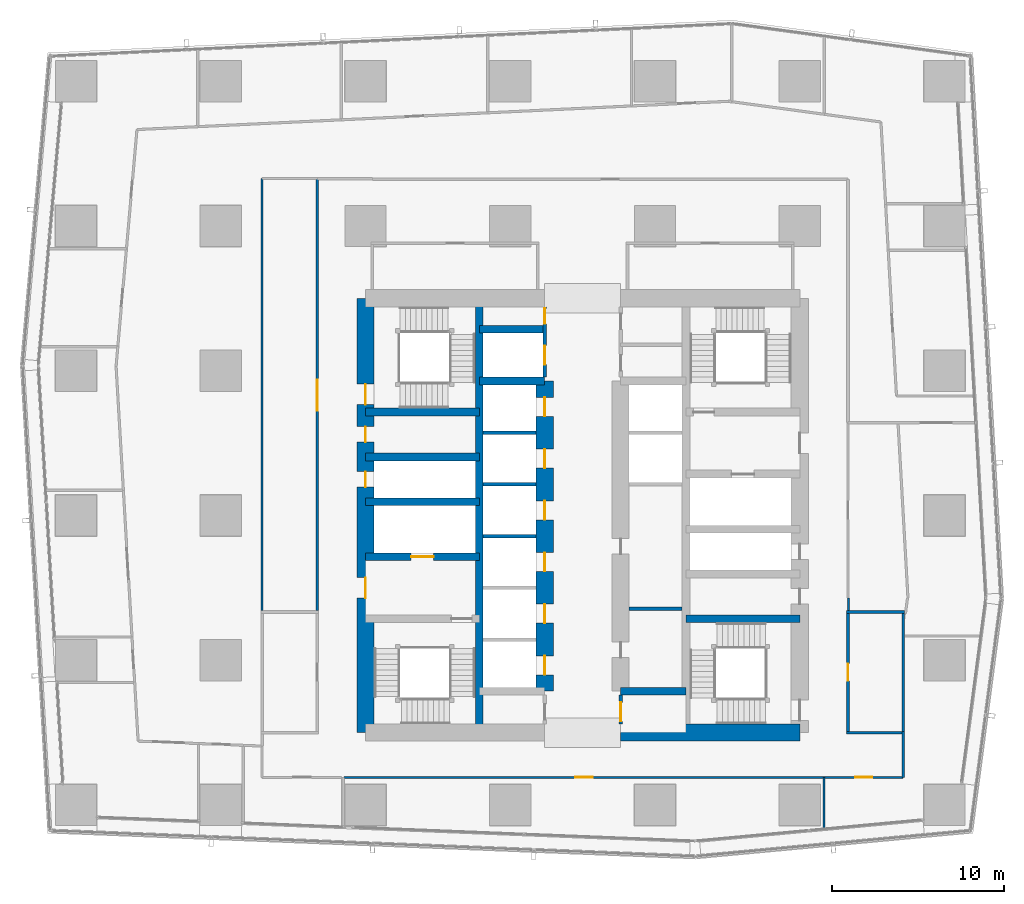
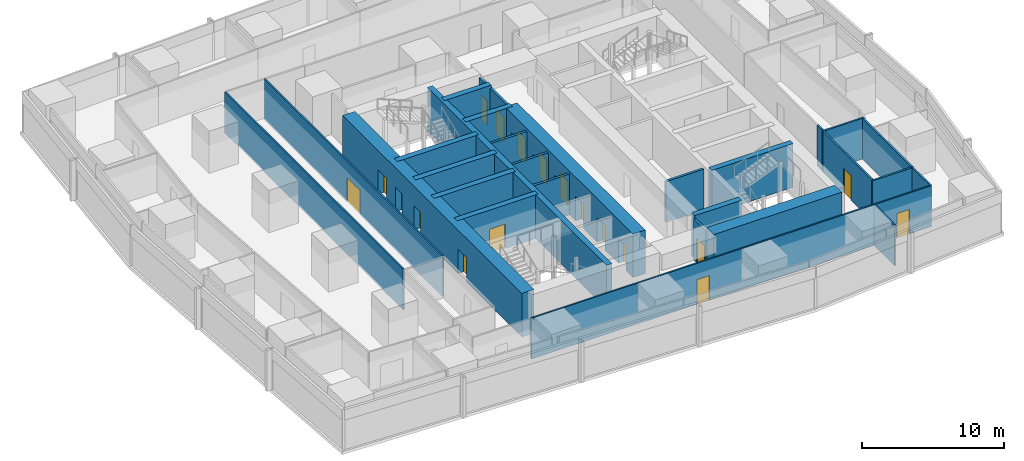
# One storey, part 25 of 37: 29 walls, 18 doors, 18 openings.
"""IFC4 building model written with IfcOpenShell, lengths in metres."""

from ifc_helpers import new_model, si_unit, direction, frame, frame_2d, origin, place, context, subcontext, project, spatial, rectangle, extrude, material, layer, layer_set, type_object, element, fill, save


model = new_model("IFC4")

# Units and contexts
model_context = context("Model", 3, precision=1e-05, world=origin(), true_north=direction((0.0, 1.0)))
body_context = subcontext(model_context, "Body", "Model", "MODEL_VIEW")
ifc_project = project(units=[si_unit("LENGTHUNIT", "METRE"), si_unit("AREAUNIT", "SQUARE_METRE"), si_unit("VOLUMEUNIT", "CUBIC_METRE"), si_unit("PLANEANGLEUNIT", "RADIAN"), si_unit("MASSUNIT", "GRAM", prefix="KILO")], contexts=[model_context])

# Site, building, storey
site_placement = place(None, origin())
site = spatial("IfcSite", under=ifc_project, at=site_placement, CompositionType="ELEMENT")
building_placement = place(site_placement, origin())
building = spatial("IfcBuilding", under=site, at=building_placement, Name="Rekha Terrace Tower", CompositionType="ELEMENT")
storey_placement = place(building_placement, frame((0.0, 0.0, 232.699951171875)))
storey = spatial("IfcBuildingStorey", under=building, at=storey_placement, Name="L59", CompositionType="ELEMENT", Elevation=232.699951171875)

# Walls
ifc_material_1 = material(Name="Concrete M60", Category="concrete")
ifc_layer_1 = layer(ifc_material_1, 0.449951171875)
ifc_layer_set_1 = layer_set([ifc_layer_1], Name="Concrete M60")
wall_type_1 = type_object("IfcWallType", Name="CI3 450 core internal shear wall", PredefinedType="SHEAR", material=ifc_layer_set_1)
wall_1_placement = place(storey_placement, frame((31.800048828125, 21.0, 0.0), z_axis=(0.0, 0.0, 1.0), x_axis=(0.0, 1.0, 0.0)))
element("IfcWall", 1, at=wall_1_placement, inside=storey, type_object=wall_type_1, Name="Core wall X318 L59", PredefinedType="SHEAR", context=body_context, shape_type="SweptSolid", body=[
    extrude(rectangle(XDim=25.199951171875, YDim=0.449951171875, at=frame_2d((12.60009765625, 0.0))), origin(), (0.0, 0.0, 1.0), 3.75),
])
for number, where, z_axis, x_axis, name in (
    (2, (31.800048828125, 41.39990234375, 0.0), (0.0, 0.0, 1.0), (1.0, 0.0, 0.0), "Core wall Y414W L59"),
    (3, (31.800048828125, 44.39990234375, 0.0), (0.0, 0.0, 1.0), (1.0, 0.0, 0.0), "Core wall Y444W L59"),
    (4, (40.0, 23.39990234375, 0.0), (0.0, 0.0, 1.0), (1.0, 0.0, 0.0), "Core wall Y234E L59"),
):
    element("IfcWall", number, at=place(storey_placement, frame(where, z_axis=z_axis, x_axis=x_axis)), inside=storey, type_object=wall_type_1, Name=name, PredefinedType="SHEAR", context=body_context, shape_type="SweptSolid", body=[
        extrude(rectangle(XDim=3.800048828125, YDim=0.449951171875, at=frame_2d((1.89990234375, 0.0))), origin(), (0.0, 0.0, 1.0), 3.75),
    ])

# Wall, opening, door
wall_2_placement = place(storey_placement, frame((25.199951171875, 31.199951171875, 0.0), z_axis=(0.0, 0.0, 1.0), x_axis=(1.0, 0.0, 0.0)))
wall_2 = element("IfcWall", 5, at=wall_2_placement, inside=storey, type_object=wall_type_1, Name="Core wall Y312W L59", PredefinedType="SHEAR", context=body_context, shape_type="SweptSolid", body=[
    extrude(rectangle(XDim=6.60009765625, YDim=0.449951171875, at=frame_2d((3.300048828125, 0.0))), origin(), (0.0, 0.0, 1.0), 3.75),
])
opening_1_placement = place(wall_2_placement, frame((2.64990234375, 0.0, 0.0)))
opening_1 = element("IfcOpeningElement", 6, at=opening_1_placement, cuts=wall_2, Name="Opening LD2", PredefinedType="OPENING", context=body_context, shape_type="SweptSolid", body=[
    extrude(rectangle(XDim=1.300048828125, YDim=2.10009765625, at=frame_2d((0.64990234375, 1.050048828125))), frame((0.0, 0.23486328125, 0.0), z_axis=(0.0, -1.0, 0.0), x_axis=(1.0, 0.0, 0.0)), (0.0, 0.0, 1.0), 0.469970703125),
])
ifc_material_2 = material(Name="Stainless steel sliding landing door", Category="steel")
door_type_1 = type_object("IfcDoorType", Name="LD2 1300x2100 fire lift landing door", OperationType="SLIDING_TO_LEFT", PredefinedType="USERDEFINED", material=ifc_material_2)
door_1_placement = place(opening_1_placement, origin())
door_1 = element("IfcDoor", 7, at=door_1_placement, inside=storey, type_object=door_type_1, Name="Lift FL1 landing door L59", ObjectType="LIFT LANDING DOOR", OperationType="SLIDING_TO_LEFT", OverallHeight=2.10009765625, OverallWidth=1.300048828125, PredefinedType="USERDEFINED", context=body_context, shape_type="SweptSolid", body=[
    extrude(rectangle(XDim=1.300048828125, YDim=2.10009765625, at=frame_2d((0.64990234375, 1.050048828125))), frame((0.0, 0.02490234375, 0.0), z_axis=(0.0, -1.0, 0.0), x_axis=(1.0, 0.0, 0.0)), (0.0, 0.0, 1.0), 0.050048828125),
])
fill(opening_1, door_1)

# Walls
for number, where, z_axis, x_axis, name in (
    (8, (25.199951171875, 34.39990234375, 0.0), (0.0, 0.0, 1.0), (1.0, 0.0, 0.0), "Core wall Y344W L59"),
    (9, (25.199951171875, 37.0, 0.0), (0.0, 0.0, 1.0), (1.0, 0.0, 0.0), "Core wall Y370W L59"),
    (10, (25.199951171875, 39.60009765625, 0.0), (0.0, 0.0, 1.0), (1.0, 0.0, 0.0), "Core wall Y396W L59"),
):
    element("IfcWall", number, at=place(storey_placement, frame(where, z_axis=z_axis, x_axis=x_axis)), inside=storey, type_object=wall_type_1, Name=name, PredefinedType="SHEAR", context=body_context, shape_type="SweptSolid", body=[
        extrude(rectangle(XDim=6.60009765625, YDim=0.449951171875, at=frame_2d((3.300048828125, 0.0))), origin(), (0.0, 0.0, 1.0), 3.75),
    ])
wall_3_placement = place(storey_placement, frame((43.800048828125, 27.60009765625, 0.0), z_axis=(0.0, 0.0, 1.0), x_axis=(1.0, 0.0, 0.0)))
element("IfcWall", 11, at=wall_3_placement, inside=storey, type_object=wall_type_1, Name="Core wall Y276E L59", PredefinedType="SHEAR", context=body_context, shape_type="SweptSolid", body=[
    extrude(rectangle(XDim=6.599853515625, YDim=0.449951171875, at=frame_2d((3.2998046875, 0.0))), origin(), (0.0, 0.0, 1.0), 3.75),
])

# Wall, openings, doors
ifc_layer_2 = layer(ifc_material_1, 1.0)
ifc_layer_set_2 = layer_set([ifc_layer_2], Name="Concrete M60")
wall_type_2 = type_object("IfcWallType", Name="LW3 1000 core lobby wall at an outrigger level", PredefinedType="SHEAR", material=ifc_layer_set_2)
wall_4_placement = place(storey_placement, frame((35.60009765625, 23.39990234375, 0.0), z_axis=(0.0, 0.0, 1.0), x_axis=(0.0, 1.0, 0.0)))
wall_4 = element("IfcWall", 12, at=wall_4_placement, inside=storey, type_object=wall_type_2, Name="Core wall X356 L59", PredefinedType="SHEAR", context=body_context, shape_type="SweptSolid", body=[
    extrude(rectangle(XDim=18.0, YDim=1.0, at=frame_2d((9.0, 0.0))), origin(), (0.0, 0.0, 1.0), 3.75),
])
opening_2_placement = place(wall_4_placement, frame((0.949951171875, 0.0, 0.0)))
opening_2 = element("IfcOpeningElement", 13, at=opening_2_placement, cuts=wall_4, Name="Opening LD1", PredefinedType="OPENING", context=body_context, shape_type="SweptSolid", body=[
    extrude(rectangle(XDim=1.10009765625, YDim=2.10009765625, at=frame_2d((0.550048828125, 1.050048828125))), frame((0.0, 0.510009765625, 0.0), z_axis=(0.0, -1.0, 0.0), x_axis=(1.0, 0.0, 0.0)), (0.0, 0.0, 1.0), 1.02001953125),
])
opening_3_placement = place(wall_4_placement, frame((3.949951171875, 0.0, 0.0)))
opening_3 = element("IfcOpeningElement", 14, at=opening_3_placement, cuts=wall_4, Name="Opening LD1", PredefinedType="OPENING", context=body_context, shape_type="SweptSolid", body=[
    extrude(rectangle(XDim=1.10009765625, YDim=2.10009765625, at=frame_2d((0.550048828125, 1.050048828125))), frame((0.0, 0.510009765625, 0.0), z_axis=(0.0, -1.0, 0.0), x_axis=(1.0, 0.0, 0.0)), (0.0, 0.0, 1.0), 1.02001953125),
])
opening_4_placement = place(wall_4_placement, frame((6.949951171875, 0.0, 0.0)))
opening_4 = element("IfcOpeningElement", 15, at=opening_4_placement, cuts=wall_4, Name="Opening LD1", PredefinedType="OPENING", context=body_context, shape_type="SweptSolid", body=[
    extrude(rectangle(XDim=1.10009765625, YDim=2.10009765625, at=frame_2d((0.550048828125, 1.050048828125))), frame((0.0, 0.510009765625, 0.0), z_axis=(0.0, -1.0, 0.0), x_axis=(1.0, 0.0, 0.0)), (0.0, 0.0, 1.0), 1.02001953125),
])
opening_5_placement = place(wall_4_placement, frame((9.949951171875, 0.0, 0.0)))
opening_5 = element("IfcOpeningElement", 16, at=opening_5_placement, cuts=wall_4, Name="Opening LD1", PredefinedType="OPENING", context=body_context, shape_type="SweptSolid", body=[
    extrude(rectangle(XDim=1.10009765625, YDim=2.10009765625, at=frame_2d((0.550048828125, 1.050048828125))), frame((0.0, 0.510009765625, 0.0), z_axis=(0.0, -1.0, 0.0), x_axis=(1.0, 0.0, 0.0)), (0.0, 0.0, 1.0), 1.02001953125),
])
opening_6_placement = place(wall_4_placement, frame((12.949951171875, 0.0, 0.0)))
opening_6 = element("IfcOpeningElement", 17, at=opening_6_placement, cuts=wall_4, Name="Opening LD1", PredefinedType="OPENING", context=body_context, shape_type="SweptSolid", body=[
    extrude(rectangle(XDim=1.10009765625, YDim=2.10009765625, at=frame_2d((0.550048828125, 1.050048828125))), frame((0.0, 0.510009765625, 0.0), z_axis=(0.0, -1.0, 0.0), x_axis=(1.0, 0.0, 0.0)), (0.0, 0.0, 1.0), 1.02001953125),
])
opening_7_placement = place(wall_4_placement, frame((15.949951171875, 0.0, 0.0)))
opening_7 = element("IfcOpeningElement", 18, at=opening_7_placement, cuts=wall_4, Name="Opening LD1", PredefinedType="OPENING", context=body_context, shape_type="SweptSolid", body=[
    extrude(rectangle(XDim=1.10009765625, YDim=2.10009765625, at=frame_2d((0.550048828125, 1.050048828125))), frame((0.0, 0.510009765625, 0.0), z_axis=(0.0, -1.0, 0.0), x_axis=(1.0, 0.0, 0.0)), (0.0, 0.0, 1.0), 1.02001953125),
])
door_type_2 = type_object("IfcDoorType", Name="LD1 1100x2100 lift landing door", OperationType="SLIDING_TO_LEFT", PredefinedType="USERDEFINED", material=ifc_material_2)
door_2_placement = place(opening_2_placement, origin())
door_2 = element("IfcDoor", 19, at=door_2_placement, inside=storey, type_object=door_type_2, Name="Lift C1 landing door L59", ObjectType="LIFT LANDING DOOR", OperationType="SLIDING_TO_LEFT", OverallHeight=2.10009765625, OverallWidth=1.10009765625, PredefinedType="USERDEFINED", context=body_context, shape_type="SweptSolid", body=[
    extrude(rectangle(XDim=1.10009765625, YDim=2.10009765625, at=frame_2d((0.550048828125, 1.050048828125))), frame((0.0, 0.02490234375, 0.0), z_axis=(0.0, -1.0, 0.0), x_axis=(1.0, 0.0, 0.0)), (0.0, 0.0, 1.0), 0.050048828125),
])
fill(opening_2, door_2)
door_3_placement = place(opening_3_placement, origin())
door_3 = element("IfcDoor", 20, at=door_3_placement, inside=storey, type_object=door_type_2, Name="Lift C2 landing door L59", ObjectType="LIFT LANDING DOOR", OperationType="SLIDING_TO_LEFT", OverallHeight=2.10009765625, OverallWidth=1.10009765625, PredefinedType="USERDEFINED", context=body_context, shape_type="SweptSolid", body=[
    extrude(rectangle(XDim=1.10009765625, YDim=2.10009765625, at=frame_2d((0.550048828125, 1.050048828125))), frame((0.0, 0.02490234375, 0.0), z_axis=(0.0, -1.0, 0.0), x_axis=(1.0, 0.0, 0.0)), (0.0, 0.0, 1.0), 0.050048828125),
])
fill(opening_3, door_3)
door_4_placement = place(opening_4_placement, origin())
door_4 = element("IfcDoor", 21, at=door_4_placement, inside=storey, type_object=door_type_2, Name="Lift C3 landing door L59", ObjectType="LIFT LANDING DOOR", OperationType="SLIDING_TO_LEFT", OverallHeight=2.10009765625, OverallWidth=1.10009765625, PredefinedType="USERDEFINED", context=body_context, shape_type="SweptSolid", body=[
    extrude(rectangle(XDim=1.10009765625, YDim=2.10009765625, at=frame_2d((0.550048828125, 1.050048828125))), frame((0.0, 0.02490234375, 0.0), z_axis=(0.0, -1.0, 0.0), x_axis=(1.0, 0.0, 0.0)), (0.0, 0.0, 1.0), 0.050048828125),
])
fill(opening_4, door_4)
door_5_placement = place(opening_5_placement, origin())
door_5 = element("IfcDoor", 22, at=door_5_placement, inside=storey, type_object=door_type_2, Name="Lift C4 landing door L59", ObjectType="LIFT LANDING DOOR", OperationType="SLIDING_TO_LEFT", OverallHeight=2.10009765625, OverallWidth=1.10009765625, PredefinedType="USERDEFINED", context=body_context, shape_type="SweptSolid", body=[
    extrude(rectangle(XDim=1.10009765625, YDim=2.10009765625, at=frame_2d((0.550048828125, 1.050048828125))), frame((0.0, 0.02490234375, 0.0), z_axis=(0.0, -1.0, 0.0), x_axis=(1.0, 0.0, 0.0)), (0.0, 0.0, 1.0), 0.050048828125),
])
fill(opening_5, door_5)
door_6_placement = place(opening_6_placement, origin())
door_6 = element("IfcDoor", 23, at=door_6_placement, inside=storey, type_object=door_type_2, Name="Lift C5 landing door L59", ObjectType="LIFT LANDING DOOR", OperationType="SLIDING_TO_LEFT", OverallHeight=2.10009765625, OverallWidth=1.10009765625, PredefinedType="USERDEFINED", context=body_context, shape_type="SweptSolid", body=[
    extrude(rectangle(XDim=1.10009765625, YDim=2.10009765625, at=frame_2d((0.550048828125, 1.050048828125))), frame((0.0, 0.02490234375, 0.0), z_axis=(0.0, -1.0, 0.0), x_axis=(1.0, 0.0, 0.0)), (0.0, 0.0, 1.0), 0.050048828125),
])
fill(opening_6, door_6)
door_7_placement = place(opening_7_placement, origin())
door_7 = element("IfcDoor", 24, at=door_7_placement, inside=storey, type_object=door_type_2, Name="Lift C6 landing door L59", ObjectType="LIFT LANDING DOOR", OperationType="SLIDING_TO_LEFT", OverallHeight=2.10009765625, OverallWidth=1.10009765625, PredefinedType="USERDEFINED", context=body_context, shape_type="SweptSolid", body=[
    extrude(rectangle(XDim=1.10009765625, YDim=2.10009765625, at=frame_2d((0.550048828125, 1.050048828125))), frame((0.0, 0.02490234375, 0.0), z_axis=(0.0, -1.0, 0.0), x_axis=(1.0, 0.0, 0.0)), (0.0, 0.0, 1.0), 0.050048828125),
])
fill(opening_7, door_7)

# Wall
ifc_layer_3 = layer(ifc_material_1, 1.0)
ifc_layer_set_3 = layer_set([ifc_layer_3], Name="Concrete M60")
wall_type_3 = type_object("IfcWallType", Name="SW3 1000 core outer shear wall", PredefinedType="SHEAR", material=ifc_layer_set_3)
wall_5_placement = place(storey_placement, frame((40.0, 21.0, 0.0), z_axis=(0.0, 0.0, 1.0), x_axis=(1.0, 0.0, 0.0)))
element("IfcWall", 25, at=wall_5_placement, inside=storey, type_object=wall_type_3, Name="Core wall S2 L59", PredefinedType="SHEAR", context=body_context, shape_type="SweptSolid", body=[
    extrude(rectangle(XDim=10.39990234375, YDim=1.0, at=frame_2d((5.199951171875, 0.0))), origin(), (0.0, 0.0, 1.0), 3.75),
])

# Wall, openings, doors
wall_6_placement = place(storey_placement, frame((25.199951171875, 21.0, 0.0), z_axis=(0.0, 0.0, 1.0), x_axis=(0.0, 1.0, 0.0)))
wall_6 = element("IfcWall", 26, at=wall_6_placement, inside=storey, type_object=wall_type_3, Name="Core wall W L59", PredefinedType="SHEAR", context=body_context, shape_type="SweptSolid", body=[
    extrude(rectangle(XDim=25.199951171875, YDim=1.0, at=frame_2d((12.60009765625, 0.0))), origin(), (0.0, 0.0, 1.0), 3.75),
])
opening_8_placement = place(wall_6_placement, frame((7.800048828125, 0.0, 0.0)))
opening_8 = element("IfcOpeningElement", 27, at=opening_8_placement, cuts=wall_6, Name="Opening D2", PredefinedType="OPENING", context=body_context, shape_type="SweptSolid", body=[
    extrude(rectangle(XDim=1.199951171875, YDim=2.10009765625, at=frame_2d((0.60009765625, 1.050048828125))), frame((0.0, 0.510009765625, 0.0), z_axis=(0.0, -1.0, 0.0), x_axis=(1.0, 0.0, 0.0)), (0.0, 0.0, 1.0), 1.02001953125),
])
opening_9_placement = place(wall_6_placement, frame((14.25, 0.0, 0.0)))
opening_9 = element("IfcOpeningElement", 28, at=opening_9_placement, cuts=wall_6, Name="Opening D5", PredefinedType="OPENING", context=body_context, shape_type="SweptSolid", body=[
    extrude(rectangle(XDim=0.89990234375, YDim=2.10009765625, at=frame_2d((0.449951171875, 1.050048828125))), frame((0.0, 0.510009765625, 0.0), z_axis=(0.0, -1.0, 0.0), x_axis=(1.0, 0.0, 0.0)), (0.0, 0.0, 1.0), 1.02001953125),
])
opening_10_placement = place(wall_6_placement, frame((16.85009765625, 0.0, 0.0)))
opening_10 = element("IfcOpeningElement", 29, at=opening_10_placement, cuts=wall_6, Name="Opening D5", PredefinedType="OPENING", context=body_context, shape_type="SweptSolid", body=[
    extrude(rectangle(XDim=0.89990234375, YDim=2.10009765625, at=frame_2d((0.449951171875, 1.050048828125))), frame((0.0, 0.510009765625, 0.0), z_axis=(0.0, -1.0, 0.0), x_axis=(1.0, 0.0, 0.0)), (0.0, 0.0, 1.0), 1.02001953125),
])
opening_11_placement = place(wall_6_placement, frame((19.02490234375, 0.0, 0.0)))
opening_11 = element("IfcOpeningElement", 30, at=opening_11_placement, cuts=wall_6, Name="Opening D1", PredefinedType="OPENING", context=body_context, shape_type="SweptSolid", body=[
    extrude(rectangle(XDim=1.199951171875, YDim=2.10009765625, at=frame_2d((0.60009765625, 1.050048828125))), frame((0.0, 0.510009765625, 0.0), z_axis=(0.0, -1.0, 0.0), x_axis=(1.0, 0.0, 0.0)), (0.0, 0.0, 1.0), 1.02001953125),
])
ifc_material_3 = material(Name="Steel fire door", Category="steel")
door_type_3 = type_object("IfcDoorType", Name="D1 1200x2100 stair fire door", OperationType="SINGLE_SWING_RIGHT", PredefinedType="DOOR", material=ifc_material_3)
door_8_placement = place(opening_11_placement, origin())
door_8 = element("IfcDoor", 31, at=door_8_placement, inside=storey, type_object=door_type_3, Name="Stair ST4 door L59", OperationType="SINGLE_SWING_RIGHT", OverallHeight=2.10009765625, OverallWidth=1.199951171875, PredefinedType="DOOR", context=body_context, shape_type="SweptSolid", body=[
    extrude(rectangle(XDim=1.199951171875, YDim=2.10009765625, at=frame_2d((0.60009765625, 1.050048828125))), frame((0.0, 0.02490234375, 0.0), z_axis=(0.0, -1.0, 0.0), x_axis=(1.0, 0.0, 0.0)), (0.0, 0.0, 1.0), 0.050048828125),
])
fill(opening_11, door_8)
door_type_4 = type_object("IfcDoorType", Name="D2 1200x2100 firefighting lobby door", OperationType="SINGLE_SWING_LEFT", PredefinedType="DOOR", material=ifc_material_3)
door_9_placement = place(opening_8_placement, origin())
door_9 = element("IfcDoor", 32, at=door_9_placement, inside=storey, type_object=door_type_4, Name="Door flb1 L59", OperationType="SINGLE_SWING_LEFT", OverallHeight=2.10009765625, OverallWidth=1.199951171875, PredefinedType="DOOR", context=body_context, shape_type="SweptSolid", body=[
    extrude(rectangle(XDim=1.199951171875, YDim=2.10009765625, at=frame_2d((0.60009765625, 1.050048828125))), frame((0.0, 0.02490234375, 0.0), z_axis=(0.0, -1.0, 0.0), x_axis=(1.0, 0.0, 0.0)), (0.0, 0.0, 1.0), 0.050048828125),
])
fill(opening_8, door_9)
door_type_5 = type_object("IfcDoorType", Name="D5 900x2100 riser access door", OperationType="SINGLE_SWING_LEFT", PredefinedType="DOOR", material=ifc_material_3)
door_10_placement = place(opening_9_placement, origin())
door_10 = element("IfcDoor", 33, at=door_10_placement, inside=storey, type_object=door_type_5, Name="Door rs1 L59", OperationType="SINGLE_SWING_LEFT", OverallHeight=2.10009765625, OverallWidth=0.89990234375, PredefinedType="DOOR", context=body_context, shape_type="SweptSolid", body=[
    extrude(rectangle(XDim=0.89990234375, YDim=2.10009765625, at=frame_2d((0.449951171875, 1.050048828125))), frame((0.0, 0.02490234375, 0.0), z_axis=(0.0, -1.0, 0.0), x_axis=(1.0, 0.0, 0.0)), (0.0, 0.0, 1.0), 0.050048828125),
])
fill(opening_9, door_10)
door_11_placement = place(opening_10_placement, origin())
door_11 = element("IfcDoor", 34, at=door_11_placement, inside=storey, type_object=door_type_5, Name="Door elw L59", OperationType="SINGLE_SWING_LEFT", OverallHeight=2.10009765625, OverallWidth=0.89990234375, PredefinedType="DOOR", context=body_context, shape_type="SweptSolid", body=[
    extrude(rectangle(XDim=0.89990234375, YDim=2.10009765625, at=frame_2d((0.449951171875, 1.050048828125))), frame((0.0, 0.02490234375, 0.0), z_axis=(0.0, -1.0, 0.0), x_axis=(1.0, 0.0, 0.0)), (0.0, 0.0, 1.0), 0.050048828125),
])
fill(opening_10, door_11)

# Walls
ifc_material_4 = material(Name="Concrete block masonry, 1 hour", Category="masonry")
ifc_layer_4 = layer(ifc_material_4, 0.14990234375)
ifc_layer_set_4 = layer_set([ifc_layer_4], Name="Concrete block masonry, 1 hour")
wall_type_4 = type_object("IfcWallType", Name="WP2 150 tenancy partition", PredefinedType="PARTITIONING", material=ifc_layer_set_4)
for number, where, z_axis, x_axis, name in (
    (35, (53.125, 21.0, 0.0), (0.0, 0.0, 1.0), (1.0, 0.0, 0.0), "Men's WC wall L59"),
    (36, (53.125, 28.0, 0.0), (0.0, 0.0, 1.0), (1.0, 0.0, 0.0), "Men's WC wall L59"),
):
    element("IfcWall", number, at=place(storey_placement, frame(where, z_axis=z_axis, x_axis=x_axis)), inside=storey, type_object=wall_type_4, Name=name, PredefinedType="PARTITIONING", context=body_context, shape_type="SweptSolid", body=[
        extrude(rectangle(XDim=3.35009765625, YDim=0.14990234375, at=frame_2d((1.675048828125, 0.0))), origin(), (0.0, 0.0, 1.0), 3.5),
    ])

# Wall, opening, door
wall_7_placement = place(storey_placement, frame((53.199951171875, 21.074951171875, 0.0), z_axis=(0.0, 0.0, 1.0), x_axis=(0.0, 1.0, 0.0)))
wall_7 = element("IfcWall", 37, at=wall_7_placement, inside=storey, type_object=wall_type_4, Name="Men's WC wall L59", PredefinedType="PARTITIONING", context=body_context, shape_type="SweptSolid", body=[
    extrude(rectangle(XDim=6.85009765625, YDim=0.14990234375, at=frame_2d((3.425048828125, 0.0))), origin(), (0.0, 0.0, 1.0), 3.5),
])
opening_12_placement = place(wall_7_placement, frame((2.925048828125, 0.0, 0.0)))
opening_12 = element("IfcOpeningElement", 38, at=opening_12_placement, cuts=wall_7, Name="Opening D3", PredefinedType="OPENING", context=body_context, shape_type="SweptSolid", body=[
    extrude(rectangle(XDim=1.0, YDim=2.10009765625, at=frame_2d((0.5, 1.050048828125))), frame((0.0, 0.0849609375, 0.0), z_axis=(0.0, -1.0, 0.0), x_axis=(1.0, 0.0, 0.0)), (0.0, 0.0, 1.0), 0.169921875),
])
ifc_material_5 = material(Name="Laminated timber fire door", Category="wood")
door_type_6 = type_object("IfcDoorType", Name="D3 1000x2100 WC door", OperationType="SINGLE_SWING_LEFT", PredefinedType="DOOR", material=ifc_material_5)
door_12_placement = place(opening_12_placement, origin())
door_12 = element("IfcDoor", 39, at=door_12_placement, inside=storey, type_object=door_type_6, Name="Door men's wc L59", OperationType="SINGLE_SWING_LEFT", OverallHeight=2.10009765625, OverallWidth=1.0, PredefinedType="DOOR", context=body_context, shape_type="SweptSolid", body=[
    extrude(rectangle(XDim=1.0, YDim=2.10009765625, at=frame_2d((0.5, 1.050048828125))), frame((0.0, 0.02490234375, 0.0), z_axis=(0.0, -1.0, 0.0), x_axis=(1.0, 0.0, 0.0)), (0.0, 0.0, 1.0), 0.050048828125),
])
fill(opening_12, door_12)

# Wall
wall_8_placement = place(storey_placement, frame((56.39990234375, 21.074951171875, 0.0), z_axis=(0.0, 0.0, 1.0), x_axis=(0.0, 1.0, 0.0)))
element("IfcWall", 40, at=wall_8_placement, inside=storey, type_object=wall_type_4, Name="Men's WC wall L59", PredefinedType="PARTITIONING", context=body_context, shape_type="SweptSolid", body=[
    extrude(rectangle(XDim=6.85009765625, YDim=0.14990234375, at=frame_2d((3.425048828125, 0.0))), origin(), (0.0, 0.0, 1.0), 3.5),
])

# Wall, opening, door
ifc_material_6 = material(Name="Two layers of fire-rated gypsum board each side on steel studs, acoustic quilt, 1 hour", Category="steel")
ifc_layer_5 = layer(ifc_material_6, 0.125)
ifc_layer_set_5 = layer_set([ifc_layer_5], Name="Two layers of fire-rated gypsum board each side on steel studs, acoustic quilt, 1 hour")
wall_type_5 = type_object("IfcWallType", Name="WP3 125 office partition", PredefinedType="PARTITIONING", material=ifc_layer_set_5)
wall_9_placement = place(storey_placement, frame((23.944091796875, 18.39990234375, 0.0), z_axis=(0.0, 0.0, 1.0), x_axis=(1.0, 0.0, 0.0)))
wall_9 = element("IfcWall", 41, at=wall_9_placement, inside=storey, type_object=wall_type_5, Name="Partition L59-02", PredefinedType="PARTITIONING", context=body_context, shape_type="SweptSolid", body=[
    extrude(rectangle(XDim=27.866943359375, YDim=0.125, at=frame_2d((13.93359375, 0.0))), origin(), (0.0, 0.0, 1.0), 3.5),
])
opening_13_placement = place(wall_9_placement, frame((13.43310546875, 0.0, 0.0)))
opening_13 = element("IfcOpeningElement", 42, at=opening_13_placement, cuts=wall_9, Name="Opening D9", PredefinedType="OPENING", context=body_context, shape_type="SweptSolid", body=[
    extrude(rectangle(XDim=1.0, YDim=2.10009765625, at=frame_2d((0.5, 1.050048828125))), frame((0.0, 0.072509765625, 0.0), z_axis=(0.0, -1.0, 0.0), x_axis=(1.0, 0.0, 0.0)), (0.0, 0.0, 1.0), 0.14501953125),
])
ifc_material_7 = material(Name="Timber fire door", Category="wood")
door_type_7 = type_object("IfcDoorType", Name="D9 1000x2100 office door", OperationType="SINGLE_SWING_LEFT", PredefinedType="DOOR", material=ifc_material_7)
door_13_placement = place(opening_13_placement, origin())
door_13 = element("IfcDoor", 43, at=door_13_placement, inside=storey, type_object=door_type_7, Name="Door office L59", OperationType="SINGLE_SWING_LEFT", OverallHeight=2.10009765625, OverallWidth=1.0, PredefinedType="DOOR", context=body_context, shape_type="SweptSolid", body=[
    extrude(rectangle(XDim=1.0, YDim=2.10009765625, at=frame_2d((0.5, 1.050048828125))), frame((0.0, 0.02490234375, 0.0), z_axis=(0.0, -1.0, 0.0), x_axis=(1.0, 0.0, 0.0)), (0.0, 0.0, 1.0), 0.050048828125),
])
fill(opening_13, door_13)

# Wall
wall_10_placement = place(storey_placement, frame((51.81103515625, 18.39990234375, 0.0), z_axis=(0.0, 0.0, 1.0), x_axis=(0.0, -1.0, 0.0)))
element("IfcWall", 44, at=wall_10_placement, inside=storey, type_object=wall_type_5, Name="Partition L59-02", PredefinedType="PARTITIONING", context=body_context, shape_type="SweptSolid", body=[
    extrude(rectangle(XDim=2.93994140625, YDim=0.125, at=frame_2d((1.469970703125, 0.0))), origin(), (0.0, 0.0, 1.0), 3.5),
])

# Wall, opening, door
wall_11_placement = place(storey_placement, frame((51.81201171875, 18.39990234375, 0.0), z_axis=(0.0, 0.0, 1.0), x_axis=(1.0, 0.0, 0.0)))
wall_11 = element("IfcWall", 45, at=wall_11_placement, inside=storey, type_object=wall_type_5, Name="Partition L59-03", PredefinedType="PARTITIONING", context=body_context, shape_type="SweptSolid", body=[
    extrude(rectangle(XDim=4.587890625, YDim=0.125, at=frame_2d((2.2939453125, 0.0))), origin(), (0.0, 0.0, 1.0), 3.5),
])
opening_14_placement = place(wall_11_placement, frame((1.7939453125, 0.0, 0.0)))
opening_14 = element("IfcOpeningElement", 46, at=opening_14_placement, cuts=wall_11, Name="Opening D9", PredefinedType="OPENING", context=body_context, shape_type="SweptSolid", body=[
    extrude(rectangle(XDim=1.0, YDim=2.10009765625, at=frame_2d((0.5, 1.050048828125))), frame((0.0, 0.072509765625, 0.0), z_axis=(0.0, -1.0, 0.0), x_axis=(1.0, 0.0, 0.0)), (0.0, 0.0, 1.0), 0.14501953125),
])
door_14_placement = place(opening_14_placement, origin())
door_14 = element("IfcDoor", 47, at=door_14_placement, inside=storey, type_object=door_type_7, Name="Door director's office L59", OperationType="SINGLE_SWING_LEFT", OverallHeight=2.10009765625, OverallWidth=1.0, PredefinedType="DOOR", context=body_context, shape_type="SweptSolid", body=[
    extrude(rectangle(XDim=1.0, YDim=2.10009765625, at=frame_2d((0.5, 1.050048828125))), frame((0.0, 0.02490234375, 0.0), z_axis=(0.0, -1.0, 0.0), x_axis=(1.0, 0.0, 0.0)), (0.0, 0.0, 1.0), 0.050048828125),
])
fill(opening_14, door_14)

# Walls
wall_12_placement = place(storey_placement, frame((56.39990234375, 18.39990234375, 0.0), z_axis=(0.0, 0.0, 1.0), x_axis=(0.0, 1.0, 0.0)))
element("IfcWall", 48, at=wall_12_placement, inside=storey, type_object=wall_type_5, Name="Partition L59-03", PredefinedType="PARTITIONING", context=body_context, shape_type="SweptSolid", body=[
    extrude(rectangle(XDim=2.675048828125, YDim=0.125, at=frame_2d((1.33740234375, 0.0))), origin(), (0.0, 0.0, 1.0), 3.5),
])
wall_13_placement = place(storey_placement, frame((19.199951171875, 28.074951171875, 0.0), z_axis=(0.0, 0.0, 1.0), x_axis=(0.0, 1.0, 0.0)))
element("IfcWall", 49, at=wall_13_placement, inside=storey, type_object=wall_type_5, Name="Partition L59-15", PredefinedType="PARTITIONING", context=body_context, shape_type="SweptSolid", body=[
    extrude(rectangle(XDim=25.074951171875, YDim=0.125, at=frame_2d((12.53759765625, 0.0))), origin(), (0.0, 0.0, 1.0), 3.5),
])

# Wall, opening, door
wall_14_placement = place(storey_placement, frame((22.39990234375, 53.14990234375, 0.0), z_axis=(0.0, 0.0, 1.0), x_axis=(0.0, -1.0, 0.0)))
wall_14 = element("IfcWall", 50, at=wall_14_placement, inside=storey, type_object=wall_type_5, Name="Partition L59-15", PredefinedType="PARTITIONING", context=body_context, shape_type="SweptSolid", body=[
    extrude(rectangle(XDim=25.074951171875, YDim=0.125, at=frame_2d((12.53759765625, 0.0))), origin(), (0.0, 0.0, 1.0), 3.5),
])
opening_15_placement = place(wall_14_placement, frame((11.675048828125, 0.0, 0.0)))
opening_15 = element("IfcOpeningElement", 51, at=opening_15_placement, cuts=wall_14, Name="Opening D8", PredefinedType="OPENING", context=body_context, shape_type="SweptSolid", body=[
    extrude(rectangle(XDim=1.800048828125, YDim=2.10009765625, at=frame_2d((0.89990234375, 1.050048828125))), frame((0.0, 0.072509765625, 0.0), z_axis=(0.0, -1.0, 0.0), x_axis=(1.0, 0.0, 0.0)), (0.0, 0.0, 1.0), 0.14501953125),
])
door_type_8 = type_object("IfcDoorType", Name="D8 1800x2100 double leaf door", OperationType="DOUBLE_DOOR_SINGLE_SWING", PredefinedType="DOOR", material=ifc_material_7)
door_15_placement = place(opening_15_placement, origin())
door_15 = element("IfcDoor", 52, at=door_15_placement, inside=storey, type_object=door_type_8, Name="Door reception L59", OperationType="DOUBLE_DOOR_SINGLE_SWING", OverallHeight=2.10009765625, OverallWidth=1.800048828125, PredefinedType="DOOR", context=body_context, shape_type="SweptSolid", body=[
    extrude(rectangle(XDim=1.800048828125, YDim=2.10009765625, at=frame_2d((0.89990234375, 1.050048828125))), frame((0.0, 0.02490234375, 0.0), z_axis=(0.0, -1.0, 0.0), x_axis=(1.0, 0.0, 0.0)), (0.0, 0.0, 1.0), 0.050048828125),
])
fill(opening_15, door_15)

# Walls
wall_15_placement = place(storey_placement, frame((53.22509765625, 28.074951171875, 0.0), z_axis=(0.0, 0.0, 1.0), x_axis=(0.0, 1.0, 0.0)))
element("IfcWall", 53, at=wall_15_placement, inside=storey, type_object=wall_type_5, Name="Partition L59-17", PredefinedType="PARTITIONING", context=body_context, shape_type="SweptSolid", body=[
    extrude(rectangle(XDim=0.737060546875, YDim=0.125, at=frame_2d((0.36865234375, 0.0))), origin(), (0.0, 0.0, 1.0), 3.5),
])
ifc_material_8 = material(Name="Solid concrete block masonry, 2 hour", Category="masonry")
ifc_layer_6 = layer(ifc_material_8, 0.199951171875)
ifc_layer_set_6 = layer_set([ifc_layer_6], Name="Solid concrete block masonry, 2 hour")
wall_type_6 = type_object("IfcWallType", Name="WS1 200 stair and shaft enclosure", PredefinedType="PARTITIONING", material=ifc_layer_set_6)
for number, where, z_axis, x_axis, name in (
    (54, (32.02490234375, 32.39990234375, 0.0), (0.0, 0.0, 1.0), (1.0, 0.0, 0.0), "Lift shaft divider L59"),
    (55, (32.02490234375, 35.39990234375, 0.0), (0.0, 0.0, 1.0), (1.0, 0.0, 0.0), "Lift shaft divider L59"),
    (56, (32.02490234375, 38.39990234375, 0.0), (0.0, 0.0, 1.0), (1.0, 0.0, 0.0), "Lift shaft divider L59"),
):
    element("IfcWall", number, at=place(storey_placement, frame(where, z_axis=z_axis, x_axis=x_axis)), inside=storey, type_object=wall_type_6, Name=name, PredefinedType="PARTITIONING", context=body_context, shape_type="SweptSolid", body=[
        extrude(rectangle(XDim=3.0751953125, YDim=0.199951171875, at=frame_2d((1.53759765625, 0.0))), origin(), (0.0, 0.0, 1.0), 3.5),
    ])

# Wall, opening, door
wall_16_placement = place(storey_placement, frame((40.0, 21.5, 0.0), z_axis=(0.0, 0.0, 1.0), x_axis=(0.0, 1.0, 0.0)))
wall_16 = element("IfcWall", 57, at=wall_16_placement, inside=storey, type_object=wall_type_6, Name="Core partition wca L59", PredefinedType="PARTITIONING", context=body_context, shape_type="SweptSolid", body=[
    extrude(rectangle(XDim=1.675048828125, YDim=0.199951171875, at=frame_2d((0.83740234375, 0.0))), origin(), (0.0, 0.0, 1.0), 3.5),
])
opening_16_placement = place(wall_16_placement, frame((0.14990234375, 0.0, 0.0)))
opening_16 = element("IfcOpeningElement", 58, at=opening_16_placement, cuts=wall_16, Name="Opening D4", PredefinedType="OPENING", context=body_context, shape_type="SweptSolid", body=[
    extrude(rectangle(XDim=1.10009765625, YDim=2.10009765625, at=frame_2d((0.550048828125, 1.050048828125))), frame((0.0, 0.10986328125, 0.0), z_axis=(0.0, -1.0, 0.0), x_axis=(1.0, 0.0, 0.0)), (0.0, 0.0, 1.0), 0.219970703125),
])
door_type_9 = type_object("IfcDoorType", Name="D4 1100x2100 accessible WC door", OperationType="SLIDING_TO_LEFT", PredefinedType="DOOR", material=ifc_material_5)
door_16_placement = place(opening_16_placement, origin())
door_16 = element("IfcDoor", 59, at=door_16_placement, inside=storey, type_object=door_type_9, Name="Door wca L59", OperationType="SLIDING_TO_LEFT", OverallHeight=2.10009765625, OverallWidth=1.10009765625, PredefinedType="DOOR", context=body_context, shape_type="SweptSolid", body=[
    extrude(rectangle(XDim=1.10009765625, YDim=2.10009765625, at=frame_2d((0.550048828125, 1.050048828125))), frame((0.0, 0.02490234375, 0.0), z_axis=(0.0, -1.0, 0.0), x_axis=(1.0, 0.0, 0.0)), (0.0, 0.0, 1.0), 0.050048828125),
])
fill(opening_16, door_16)

# Wall, openings, doors
wall_17_placement = place(storey_placement, frame((35.60009765625, 41.625, 0.0), z_axis=(0.0, 0.0, 1.0), x_axis=(0.0, 1.0, 0.0)))
wall_17 = element("IfcWall", 60, at=wall_17_placement, inside=storey, type_object=wall_type_6, Name="Core partition jansv L59", PredefinedType="PARTITIONING", context=body_context, shape_type="SweptSolid", body=[
    extrude(rectangle(XDim=4.074951171875, YDim=0.199951171875, at=frame_2d((2.03759765625, 0.0))), origin(), (0.0, 0.0, 1.0), 3.5),
])
opening_17_placement = place(wall_17_placement, frame((3.087890625, 0.0, 0.0)))
opening_17 = element("IfcOpeningElement", 61, at=opening_17_placement, cuts=wall_17, Name="Opening D5", PredefinedType="OPENING", context=body_context, shape_type="SweptSolid", body=[
    extrude(rectangle(XDim=0.89990234375, YDim=2.10009765625, at=frame_2d((0.449951171875, 1.050048828125))), frame((0.0, 0.10986328125, 0.0), z_axis=(0.0, -1.0, 0.0), x_axis=(1.0, 0.0, 0.0)), (0.0, 0.0, 1.0), 0.219970703125),
])
opening_18_placement = place(wall_17_placement, frame((0.72509765625, 0.0, 0.0)))
opening_18 = element("IfcOpeningElement", 62, at=opening_18_placement, cuts=wall_17, Name="Opening LD1", PredefinedType="OPENING", context=body_context, shape_type="SweptSolid", body=[
    extrude(rectangle(XDim=1.10009765625, YDim=2.10009765625, at=frame_2d((0.550048828125, 1.050048828125))), frame((0.0, 0.10986328125, 0.0), z_axis=(0.0, -1.0, 0.0), x_axis=(1.0, 0.0, 0.0)), (0.0, 0.0, 1.0), 0.219970703125),
])
door_17_placement = place(opening_17_placement, origin())
door_17 = element("IfcDoor", 63, at=door_17_placement, inside=storey, type_object=door_type_5, Name="Door janitor room L59", OperationType="SINGLE_SWING_LEFT", OverallHeight=2.10009765625, OverallWidth=0.89990234375, PredefinedType="DOOR", context=body_context, shape_type="SweptSolid", body=[
    extrude(rectangle(XDim=0.89990234375, YDim=2.10009765625, at=frame_2d((0.449951171875, 1.050048828125))), frame((0.0, 0.02490234375, 0.0), z_axis=(0.0, -1.0, 0.0), x_axis=(1.0, 0.0, 0.0)), (0.0, 0.0, 1.0), 0.050048828125),
])
fill(opening_17, door_17)
door_18_placement = place(opening_18_placement, origin())
door_18 = element("IfcDoor", 64, at=door_18_placement, inside=storey, type_object=door_type_2, Name="Lift SV1 landing door L59", ObjectType="LIFT LANDING DOOR", OperationType="SLIDING_TO_LEFT", OverallHeight=2.10009765625, OverallWidth=1.10009765625, PredefinedType="USERDEFINED", context=body_context, shape_type="SweptSolid", body=[
    extrude(rectangle(XDim=1.10009765625, YDim=2.10009765625, at=frame_2d((0.550048828125, 1.050048828125))), frame((0.0, 0.02490234375, 0.0), z_axis=(0.0, -1.0, 0.0), x_axis=(1.0, 0.0, 0.0)), (0.0, 0.0, 1.0), 0.050048828125),
])
fill(opening_18, door_18)

# Wall
wall_18_placement = place(storey_placement, frame((40.5, 28.199951171875, 0.0), z_axis=(0.0, 0.0, 1.0), x_axis=(1.0, 0.0, 0.0)))
element("IfcWall", 65, at=wall_18_placement, inside=storey, type_object=wall_type_6, Name="Core partition freed shafts L59", PredefinedType="PARTITIONING", context=body_context, shape_type="SweptSolid", body=[
    extrude(rectangle(XDim=3.074951171875, YDim=0.199951171875, at=frame_2d((1.53759765625, 0.0))), origin(), (0.0, 0.0, 1.0), 3.5),
])

save(model, "model.ifc")
